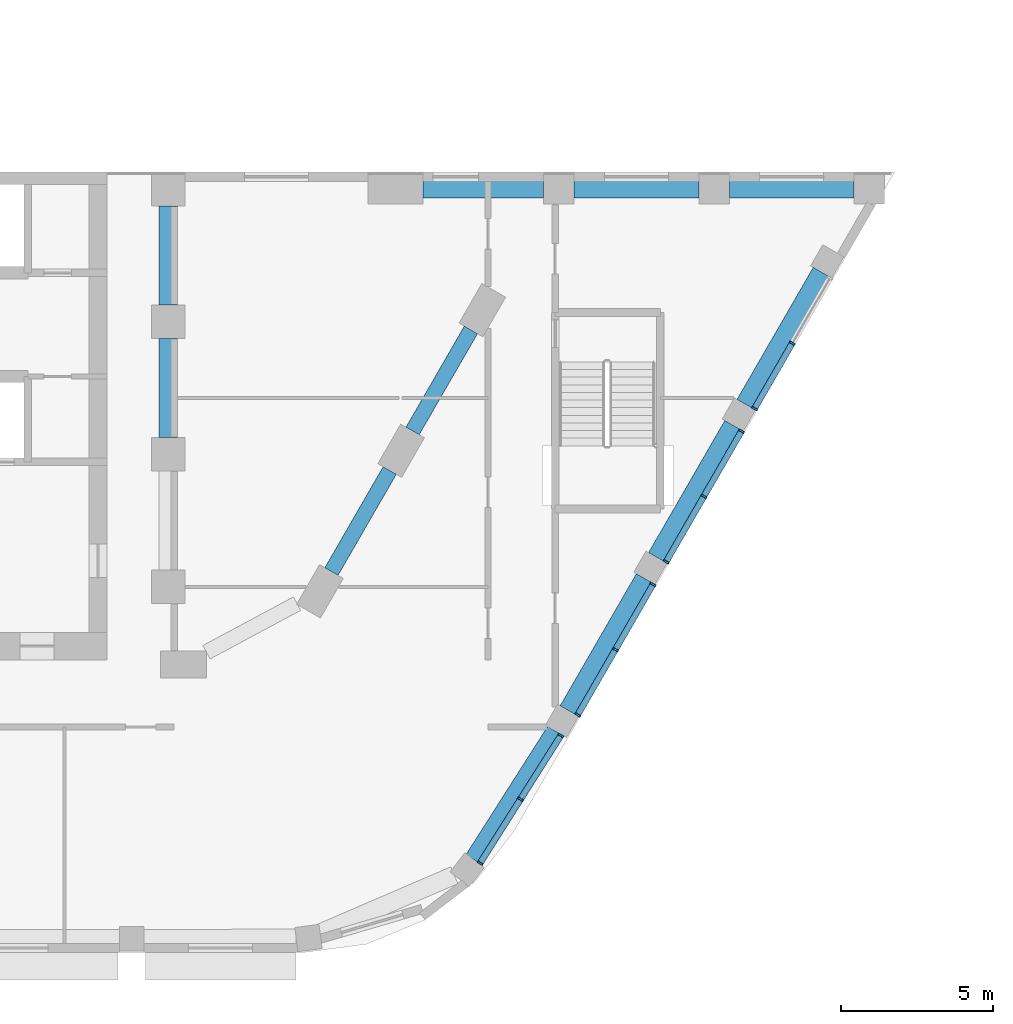
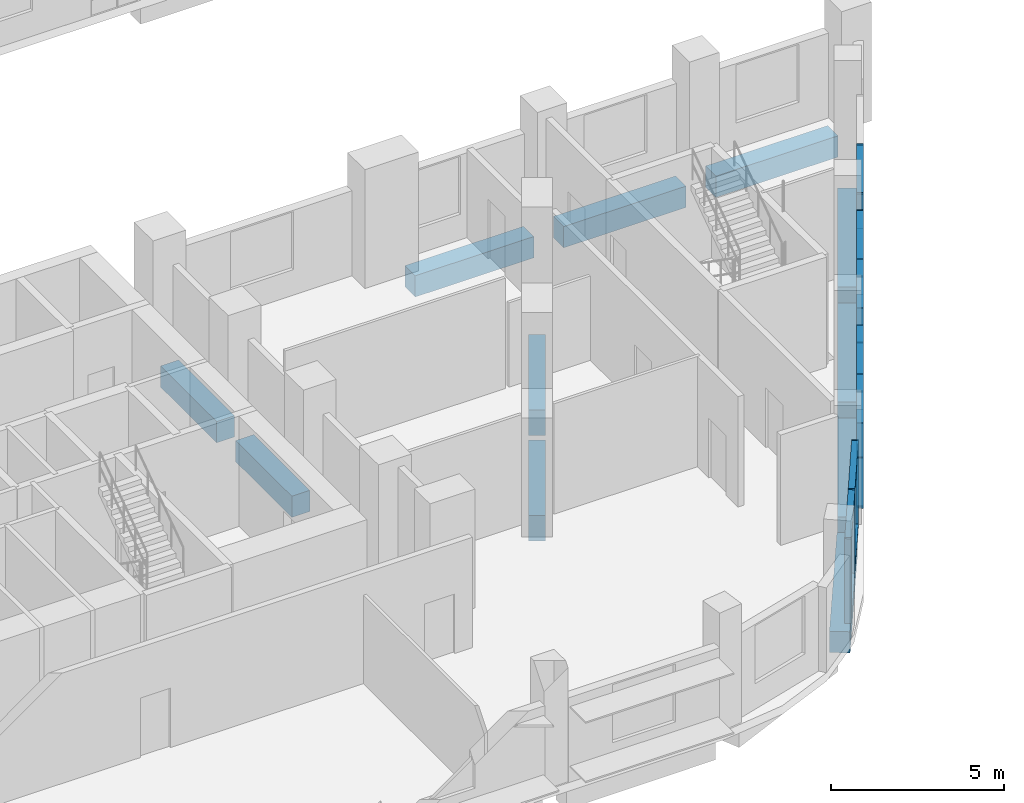
# One storey, part 2 of 47: 25 members, 11 beams, 4 elements without a shape of their own.
"""IFC4 building model written with IfcOpenShell, lengths in metres."""

from ifc_helpers import new_model, si_unit, direction, frame, origin, origin_2d, place, context, subcontext, project, spatial, rectangle, extrude, material, layer, layer_set, material_profile, profile_set, type_object, element, aggregate, save


model = new_model("IFC4")

# Units and contexts
model_context = context("Model", 3, precision=1e-05, world=origin(), true_north=direction((0.0, 1.0)))
body_context = subcontext(model_context, "Body", "Model", "MODEL_VIEW")
ifc_project = project(units=[si_unit("LENGTHUNIT", "METRE"), si_unit("AREAUNIT", "SQUARE_METRE"), si_unit("VOLUMEUNIT", "CUBIC_METRE"), si_unit("PLANEANGLEUNIT", "RADIAN"), si_unit("MASSUNIT", "GRAM", prefix="KILO")], contexts=[model_context])

# Site, building, storey
site_placement = place(None, origin())
site = spatial("IfcSite", under=ifc_project, at=site_placement, CompositionType="ELEMENT")
building_placement = place(site_placement, origin())
building = spatial("IfcBuilding", under=site, at=building_placement, Name="Nakaniwa Court", CompositionType="ELEMENT")
storey_placement = place(building_placement, frame((0.0, 0.0, 15.60009765625)))
storey = spatial("IfcBuildingStorey", under=building, at=storey_placement, Name="L03", CompositionType="ELEMENT", Elevation=15.60009765625)

# Beams
ifc_material_1 = material(Name="Concrete C100/115", Category="concrete")
ifc_material_profile_1 = material_profile(ifc_material_1, rectangle(XDim=0.5, YDim=0.89990234375, at=origin_2d()), Name="Concrete C100/115 RC 500x900 spandrel beam")
ifc_profile_set_1 = profile_set([ifc_material_profile_1], Name="Concrete C100/115")
beam_type_1 = type_object("IfcBeamType", Name="Concrete C100/115 RC 500x900 spandrel beam", PredefinedType="BEAM", material=ifc_profile_set_1)
beam_1_placement = place(storey_placement, frame((95.357421875, 59.5, -0.75), z_axis=(0.500009674092, 0.866019818373, 0.0), x_axis=(-0.866019818373, 0.500009674092, 0.0)))
element("IfcBeam", 1, at=beam_1_placement, inside=storey, type_object=beam_type_1, Name="SPANDREL BEAM", PredefinedType="BEAM", context=body_context, shape_type="SweptSolid", body=[
    extrude(rectangle(XDim=0.5, YDim=0.89990234375, at=origin_2d()), origin(), (0.0, 0.0, 1.0), 3.826171875),
])
beam_2_placement = place(storey_placement, frame((98.0205078125, 64.1123046875, -0.75), z_axis=(0.499961815444, 0.866047448526, 0.0), x_axis=(-0.866047448526, 0.499961815444, 0.0)))
element("IfcBeam", 2, at=beam_2_placement, inside=storey, type_object=beam_type_1, Name="SPANDREL BEAM", PredefinedType="BEAM", context=body_context, shape_type="SweptSolid", body=[
    extrude(rectangle(XDim=0.5, YDim=0.89990234375, at=origin_2d()), origin(), (0.0, 0.0, 1.0), 3.825927734375),
])
ifc_material_profile_2 = material_profile(ifc_material_1, rectangle(XDim=0.60009765625, YDim=0.75, at=origin_2d()), Name="Concrete C100/115 RC 600x750 ring beam")
ifc_profile_set_2 = profile_set([ifc_material_profile_2], Name="Concrete C100/115")
beam_type_2 = type_object("IfcBeamType", Name="Concrete C100/115 RC 600x750 ring beam", PredefinedType="BEAM", material=ifc_profile_set_2)
for number, where, z_axis, x_axis, name in (
    (3, (90.0, 63.89990234375, -0.675048828125), (0.0, 1.0, 0.0), (-1.0, 0.0, 0.0), "RING BEAM"),
    (4, (90.0, 68.25, -0.675048828125), (0.0, 1.0, 0.0), (-1.0, 0.0, 0.0), "RING BEAM"),
):
    element("IfcBeam", number, at=place(storey_placement, frame(where, z_axis=z_axis, x_axis=x_axis)), inside=storey, type_object=beam_type_2, Name=name, PredefinedType="BEAM", context=body_context, shape_type="SweptSolid", body=[
        extrude(rectangle(XDim=0.60009765625, YDim=0.75, at=origin_2d()), origin(), (0.0, 0.0, 1.0), 3.25),
    ])
beam_3_placement = place(storey_placement, frame((100.025390625, 50.0546875, -0.675048828125), z_axis=(0.537280707884, 0.843403486438, 0.0), x_axis=(-0.843403486438, 0.537280707884, 0.0)))
element("IfcBeam", 5, at=beam_3_placement, inside=storey, type_object=beam_type_2, Name="RING BEAM", PredefinedType="BEAM", context=body_context, shape_type="SweptSolid", body=[
    extrude(rectangle(XDim=0.60009765625, YDim=0.75, at=origin_2d()), origin(), (0.0, 0.0, 1.0), 4.9892578125),
])
for number, where, z_axis, x_axis, name in (
    (6, (103.12109375, 54.94677734375, -0.675048828125), (0.499997052475, 0.866027105532, 0.0), (-0.866027105532, 0.499997052475, 0.0), "RING BEAM"),
    (7, (106.022216796875, 59.9716796875, -0.675048828125), (0.499960447986, 0.866048237946, 0.0), (-0.866048237946, 0.499960447986, 0.0), "RING BEAM"),
    (8, (108.92333984375, 64.99658203125, -0.675048828125), (0.499997052475, 0.866027105532, 0.0), (-0.866027105532, 0.499997052475, 0.0), "RING BEAM"),
):
    element("IfcBeam", number, at=place(storey_placement, frame(where, z_axis=z_axis, x_axis=x_axis)), inside=storey, type_object=beam_type_2, Name=name, PredefinedType="BEAM", context=body_context, shape_type="SweptSolid", body=[
        extrude(rectangle(XDim=0.60009765625, YDim=0.75, at=origin_2d()), origin(), (0.0, 0.0, 1.0), 5.00244140625),
    ])
beam_4_placement = place(storey_placement, frame((98.35791015625, 72.050048828125, -0.675048828125), z_axis=(1.0, 0.0, 0.0), x_axis=(0.0, 1.0, 0.0)))
element("IfcBeam", 9, at=beam_4_placement, inside=storey, type_object=beam_type_2, Name="RING BEAM", PredefinedType="BEAM", context=body_context, shape_type="SweptSolid", body=[
    extrude(rectangle(XDim=0.60009765625, YDim=0.75, at=origin_2d()), origin(), (0.0, 0.0, 1.0), 3.965087890625),
])
beam_5_placement = place(storey_placement, frame((103.322998046875, 72.050048828125, -0.675048828125), z_axis=(1.0, 0.0, 0.0), x_axis=(0.0, 1.0, 0.0)))
element("IfcBeam", 10, at=beam_5_placement, inside=storey, type_object=beam_type_2, Name="RING BEAM", PredefinedType="BEAM", context=body_context, shape_type="SweptSolid", body=[
    extrude(rectangle(XDim=0.60009765625, YDim=0.75, at=origin_2d()), origin(), (0.0, 0.0, 1.0), 4.0859375),
])
beam_6_placement = place(storey_placement, frame((108.408935546875, 72.050048828125, -0.675048828125), z_axis=(1.0, 0.0, 0.0), x_axis=(0.0, 1.0, 0.0)))
element("IfcBeam", 11, at=beam_6_placement, inside=storey, type_object=beam_type_2, Name="RING BEAM", PredefinedType="BEAM", context=body_context, shape_type="SweptSolid", body=[
    extrude(rectangle(XDim=0.60009765625, YDim=0.75, at=origin_2d()), origin(), (0.0, 0.0, 1.0), 4.087158203125),
])

# Curtain wall, members
ifc_material_2 = material(Name="Black anodised aluminium frame with dark low-E laminated double glazing", Category="aluminium")
ifc_layer = layer(ifc_material_2, 0.199951171875)
ifc_layer_set = layer_set([ifc_layer], Name="Black anodised aluminium frame with dark low-E laminated double glazing")
curtain_wall_type = type_object("IfcCurtainWallType", Name="Podium unitised curtain wall", PredefinedType="NOTDEFINED", material=ifc_layer_set)
curtain_wall_1_placement = place(storey_placement, origin())
curtain_wall_1 = element("IfcCurtainWall", 12, at=curtain_wall_1_placement, inside=storey, type_object=curtain_wall_type, Name="L03 curtain wall CW1 00", PredefinedType="NOTDEFINED")
ifc_material_3 = material(Name="Black anodised aluminium extrusion", Category="aluminium")
ifc_material_profile_3 = material_profile(ifc_material_3, rectangle(XDim=0.199951171875, YDim=0.06494140625, at=origin_2d()), Name="Podium unitised curtain wall mullion 65x200")
ifc_profile_set_3 = profile_set([ifc_material_profile_3], Name="Black anodised aluminium extrusion")
member_type_1 = type_object("IfcMemberType", Name="Podium unitised curtain wall mullion 65x200", PredefinedType="MULLION", material=ifc_profile_set_3)
member_1_placement = place(storey_placement, frame((103.4384765625, 54.79638671875, 0.0), z_axis=(0.0, 0.0, 1.0), x_axis=(-0.866037354758, 0.499979299736, 0.0)))
member_1 = element("IfcMember", 13, at=member_1_placement, type_object=member_type_1, Name="CW1 mullion 1", PredefinedType="MULLION", context=body_context, shape_type="SweptSolid", body=[
    extrude(rectangle(XDim=0.199951171875, YDim=0.06494140625, at=origin_2d()), origin(), (0.0, 0.0, 1.0), 3.0),
])
member_2_placement = place(storey_placement, frame((104.6748046875, 56.93798828125, 0.0), z_axis=(0.0, 0.0, 1.0), x_axis=(-0.866037354758, 0.499979299736, 0.0)))
member_2 = element("IfcMember", 14, at=member_2_placement, type_object=member_type_1, Name="CW1 mullion 2", PredefinedType="MULLION", context=body_context, shape_type="SweptSolid", body=[
    extrude(rectangle(XDim=0.199951171875, YDim=0.06494140625, at=origin_2d()), origin(), (0.0, 0.0, 1.0), 3.0),
])
member_3_placement = place(storey_placement, frame((105.9111328125, 59.079345703125, 0.0), z_axis=(0.0, 0.0, 1.0), x_axis=(-0.866037354758, 0.499979299736, 0.0)))
member_3 = element("IfcMember", 15, at=member_3_placement, type_object=member_type_1, Name="CW1 mullion 3", PredefinedType="MULLION", context=body_context, shape_type="SweptSolid", body=[
    extrude(rectangle(XDim=0.199951171875, YDim=0.06494140625, at=origin_2d()), origin(), (0.0, 0.0, 1.0), 3.0),
])

curtain_wall_2_placement = place(storey_placement, origin())
curtain_wall_2 = element("IfcCurtainWall", 16, at=curtain_wall_2_placement, inside=storey, type_object=curtain_wall_type, Name="L03 curtain wall CW1 01", PredefinedType="NOTDEFINED")
member_4_placement = place(storey_placement, frame((106.339599609375, 59.821533203125, 0.0), z_axis=(0.0, 0.0, 1.0), x_axis=(-0.866032365426, 0.499987941889, 0.0)))
member_4 = element("IfcMember", 17, at=member_4_placement, type_object=member_type_1, Name="CW1 mullion 1", PredefinedType="MULLION", context=body_context, shape_type="SweptSolid", body=[
    extrude(rectangle(XDim=0.199951171875, YDim=0.06494140625, at=origin_2d()), origin(), (0.0, 0.0, 1.0), 3.0),
])
member_5_placement = place(storey_placement, frame((107.575927734375, 61.962890625, 0.0), z_axis=(0.0, 0.0, 1.0), x_axis=(-0.866032365426, 0.499987941889, 0.0)))
member_5 = element("IfcMember", 18, at=member_5_placement, type_object=member_type_1, Name="CW1 mullion 2", PredefinedType="MULLION", context=body_context, shape_type="SweptSolid", body=[
    extrude(rectangle(XDim=0.199951171875, YDim=0.06494140625, at=origin_2d()), origin(), (0.0, 0.0, 1.0), 3.0),
])
member_6_placement = place(storey_placement, frame((108.812255859375, 64.104248046875, 0.0), z_axis=(0.0, 0.0, 1.0), x_axis=(-0.866032365426, 0.499987941889, 0.0)))
member_6 = element("IfcMember", 19, at=member_6_placement, type_object=member_type_1, Name="CW1 mullion 3", PredefinedType="MULLION", context=body_context, shape_type="SweptSolid", body=[
    extrude(rectangle(XDim=0.199951171875, YDim=0.06494140625, at=origin_2d()), origin(), (0.0, 0.0, 1.0), 3.0),
])

curtain_wall_3_placement = place(storey_placement, origin())
curtain_wall_3 = element("IfcCurtainWall", 20, at=curtain_wall_3_placement, inside=storey, type_object=curtain_wall_type, Name="L03 curtain wall CW1 02", PredefinedType="NOTDEFINED")
member_7_placement = place(storey_placement, frame((109.24072265625, 64.846435546875, 0.0), z_axis=(0.0, 0.0, 1.0), x_axis=(-0.866023723106, 0.500002911009, 0.0)))
member_7 = element("IfcMember", 21, at=member_7_placement, type_object=member_type_1, Name="CW1 mullion 1", PredefinedType="MULLION", context=body_context, shape_type="SweptSolid", body=[
    extrude(rectangle(XDim=0.199951171875, YDim=0.06494140625, at=origin_2d()), origin(), (0.0, 0.0, 1.0), 3.0),
])
member_8_placement = place(storey_placement, frame((110.47705078125, 66.98779296875, 0.0), z_axis=(0.0, 0.0, 1.0), x_axis=(-0.866023723106, 0.500002911009, 0.0)))
member_8 = element("IfcMember", 22, at=member_8_placement, type_object=member_type_1, Name="CW1 mullion 2", PredefinedType="MULLION", context=body_context, shape_type="SweptSolid", body=[
    extrude(rectangle(XDim=0.199951171875, YDim=0.06494140625, at=origin_2d()), origin(), (0.0, 0.0, 1.0), 3.0),
])

curtain_wall_4_placement = place(storey_placement, origin())
curtain_wall_4 = element("IfcCurtainWall", 23, at=curtain_wall_4_placement, inside=storey, type_object=curtain_wall_type, Name="L03 curtain wall CW1 26", PredefinedType="NOTDEFINED")
member_9_placement = place(storey_placement, frame((100.235595703125, 49.93505859375, 0.0), z_axis=(0.0, 0.0, 1.0), x_axis=(-0.845107295343, 0.534596725914, 0.0)))
member_9 = element("IfcMember", 24, at=member_9_placement, type_object=member_type_1, Name="CW1 mullion 1", PredefinedType="MULLION", context=body_context, shape_type="SweptSolid", body=[
    extrude(rectangle(XDim=0.199951171875, YDim=0.06494140625, at=origin_2d()), origin(), (0.0, 0.0, 1.0), 3.0),
])
member_10_placement = place(storey_placement, frame((101.560546875, 52.029541015625, 0.0), z_axis=(0.0, 0.0, 1.0), x_axis=(-0.845107295343, 0.534596725914, 0.0)))
member_10 = element("IfcMember", 25, at=member_10_placement, type_object=member_type_1, Name="CW1 mullion 2", PredefinedType="MULLION", context=body_context, shape_type="SweptSolid", body=[
    extrude(rectangle(XDim=0.199951171875, YDim=0.06494140625, at=origin_2d()), origin(), (0.0, 0.0, 1.0), 3.0),
])
member_11_placement = place(storey_placement, frame((102.885498046875, 54.1240234375, 0.0), z_axis=(0.0, 0.0, 1.0), x_axis=(-0.845107295343, 0.534596725914, 0.0)))
member_11 = element("IfcMember", 26, at=member_11_placement, type_object=member_type_1, Name="CW1 mullion 3", PredefinedType="MULLION", context=body_context, shape_type="SweptSolid", body=[
    extrude(rectangle(XDim=0.199951171875, YDim=0.06494140625, at=origin_2d()), origin(), (0.0, 0.0, 1.0), 3.0),
])

# Member
ifc_material_profile_4 = material_profile(ifc_material_3, rectangle(XDim=0.199951171875, YDim=0.050048828125, at=origin_2d()), Name="Podium unitised curtain wall transom 50x200")
ifc_profile_set_4 = profile_set([ifc_material_profile_4], Name="Black anodised aluminium extrusion")
member_type_2 = type_object("IfcMemberType", Name="Podium unitised curtain wall transom 50x200", PredefinedType="USERDEFINED", material=ifc_profile_set_4)
member_12_placement = place(storey_placement, frame((103.45458984375, 54.82470703125, 0.02490234375), z_axis=(0.50003260427, 0.866006578882, 0.0), x_axis=(-0.866006578882, 0.50003260427, 0.0)))
member_12 = element("IfcMember", 27, at=member_12_placement, type_object=member_type_2, Name="CW1 transom 1.1", ObjectType="TRANSOM", PredefinedType="USERDEFINED", context=body_context, shape_type="SweptSolid", body=[
    extrude(rectangle(XDim=0.199951171875, YDim=0.050048828125, at=origin_2d()), origin(), (0.0, 0.0, 1.0), 2.407470703125),
])

member_13_placement = place(storey_placement, frame((103.45458984375, 54.82470703125, 2.974853515625), z_axis=(0.50003260427, 0.866006578882, 0.0), x_axis=(-0.866006578882, 0.50003260427, 0.0)))
member_13 = element("IfcMember", 28, at=member_13_placement, type_object=member_type_2, Name="CW1 transom 1.2", ObjectType="TRANSOM", PredefinedType="USERDEFINED", context=body_context, shape_type="SweptSolid", body=[
    extrude(rectangle(XDim=0.199951171875, YDim=0.050048828125, at=origin_2d()), origin(), (0.0, 0.0, 1.0), 2.407470703125),
])

member_14_placement = place(storey_placement, frame((104.69091796875, 56.966064453125, 0.02490234375), z_axis=(0.499988695522, 0.866031930329, 0.0), x_axis=(-0.866031930329, 0.499988695522, 0.0)))
member_14 = element("IfcMember", 29, at=member_14_placement, type_object=member_type_2, Name="CW1 transom 2.1", ObjectType="TRANSOM", PredefinedType="USERDEFINED", context=body_context, shape_type="SweptSolid", body=[
    extrude(rectangle(XDim=0.199951171875, YDim=0.050048828125, at=origin_2d()), origin(), (0.0, 0.0, 1.0), 2.40771484375),
])

member_15_placement = place(storey_placement, frame((104.69091796875, 56.966064453125, 2.974853515625), z_axis=(0.499988695522, 0.866031930329, 0.0), x_axis=(-0.866031930329, 0.499988695522, 0.0)))
member_15 = element("IfcMember", 30, at=member_15_placement, type_object=member_type_2, Name="CW1 transom 2.2", ObjectType="TRANSOM", PredefinedType="USERDEFINED", context=body_context, shape_type="SweptSolid", body=[
    extrude(rectangle(XDim=0.199951171875, YDim=0.050048828125, at=origin_2d()), origin(), (0.0, 0.0, 1.0), 2.40771484375),
])

aggregate(curtain_wall_1, [member_1, member_2, member_3, member_12, member_13, member_14, member_15])

member_16_placement = place(storey_placement, frame((106.355712890625, 59.849609375, 0.02490234375), z_axis=(0.499988695522, 0.866031930329, 0.0), x_axis=(-0.866031930329, 0.499988695522, 0.0)))
member_16 = element("IfcMember", 31, at=member_16_placement, type_object=member_type_2, Name="CW1 transom 1.1", ObjectType="TRANSOM", PredefinedType="USERDEFINED", context=body_context, shape_type="SweptSolid", body=[
    extrude(rectangle(XDim=0.199951171875, YDim=0.050048828125, at=origin_2d()), origin(), (0.0, 0.0, 1.0), 2.40771484375),
])

member_17_placement = place(storey_placement, frame((106.355712890625, 59.849609375, 2.974853515625), z_axis=(0.499988695522, 0.866031930329, 0.0), x_axis=(-0.866031930329, 0.499988695522, 0.0)))
member_17 = element("IfcMember", 32, at=member_17_placement, type_object=member_type_2, Name="CW1 transom 1.2", ObjectType="TRANSOM", PredefinedType="USERDEFINED", context=body_context, shape_type="SweptSolid", body=[
    extrude(rectangle(XDim=0.199951171875, YDim=0.050048828125, at=origin_2d()), origin(), (0.0, 0.0, 1.0), 2.40771484375),
])

member_18_placement = place(storey_placement, frame((107.592041015625, 61.990966796875, 0.02490234375), z_axis=(0.499988695522, 0.866031930329, 0.0), x_axis=(-0.866031930329, 0.499988695522, 0.0)))
member_18 = element("IfcMember", 33, at=member_18_placement, type_object=member_type_2, Name="CW1 transom 2.1", ObjectType="TRANSOM", PredefinedType="USERDEFINED", context=body_context, shape_type="SweptSolid", body=[
    extrude(rectangle(XDim=0.199951171875, YDim=0.050048828125, at=origin_2d()), origin(), (0.0, 0.0, 1.0), 2.40771484375),
])

member_19_placement = place(storey_placement, frame((107.592041015625, 61.990966796875, 2.974853515625), z_axis=(0.499988695522, 0.866031930329, 0.0), x_axis=(-0.866031930329, 0.499988695522, 0.0)))
member_19 = element("IfcMember", 34, at=member_19_placement, type_object=member_type_2, Name="CW1 transom 2.2", ObjectType="TRANSOM", PredefinedType="USERDEFINED", context=body_context, shape_type="SweptSolid", body=[
    extrude(rectangle(XDim=0.199951171875, YDim=0.050048828125, at=origin_2d()), origin(), (0.0, 0.0, 1.0), 2.40771484375),
])

aggregate(curtain_wall_2, [member_4, member_5, member_6, member_16, member_17, member_18, member_19])

member_20_placement = place(storey_placement, frame((109.2568359375, 64.87451171875, 0.02490234375), z_axis=(0.499988695522, 0.866031930329, 0.0), x_axis=(-0.866031930329, 0.499988695522, 0.0)))
member_20 = element("IfcMember", 35, at=member_20_placement, type_object=member_type_2, Name="CW1 transom 1.1", ObjectType="TRANSOM", PredefinedType="USERDEFINED", context=body_context, shape_type="SweptSolid", body=[
    extrude(rectangle(XDim=0.199951171875, YDim=0.050048828125, at=origin_2d()), origin(), (0.0, 0.0, 1.0), 2.40771484375),
])

member_21_placement = place(storey_placement, frame((109.2568359375, 64.87451171875, 2.974853515625), z_axis=(0.499988695522, 0.866031930329, 0.0), x_axis=(-0.866031930329, 0.499988695522, 0.0)))
member_21 = element("IfcMember", 36, at=member_21_placement, type_object=member_type_2, Name="CW1 transom 1.2", ObjectType="TRANSOM", PredefinedType="USERDEFINED", context=body_context, shape_type="SweptSolid", body=[
    extrude(rectangle(XDim=0.199951171875, YDim=0.050048828125, at=origin_2d()), origin(), (0.0, 0.0, 1.0), 2.40771484375),
])

aggregate(curtain_wall_3, [member_7, member_8, member_20, member_21])

member_22_placement = place(storey_placement, frame((100.2529296875, 49.96240234375, 0.02490234375), z_axis=(0.534628443241, 0.84508723081, 0.0), x_axis=(-0.84508723081, 0.534628443241, 0.0)))
member_22 = element("IfcMember", 37, at=member_22_placement, type_object=member_type_2, Name="CW1 transom 1.1", ObjectType="TRANSOM", PredefinedType="USERDEFINED", context=body_context, shape_type="SweptSolid", body=[
    extrude(rectangle(XDim=0.199951171875, YDim=0.050048828125, at=origin_2d()), origin(), (0.0, 0.0, 1.0), 2.413330078125),
])

member_23_placement = place(storey_placement, frame((100.2529296875, 49.96240234375, 2.974853515625), z_axis=(0.534628443241, 0.84508723081, 0.0), x_axis=(-0.84508723081, 0.534628443241, 0.0)))
member_23 = element("IfcMember", 38, at=member_23_placement, type_object=member_type_2, Name="CW1 transom 1.2", ObjectType="TRANSOM", PredefinedType="USERDEFINED", context=body_context, shape_type="SweptSolid", body=[
    extrude(rectangle(XDim=0.199951171875, YDim=0.050048828125, at=origin_2d()), origin(), (0.0, 0.0, 1.0), 2.413330078125),
])

member_24_placement = place(storey_placement, frame((101.577880859375, 52.056884765625, 0.02490234375), z_axis=(0.534628443241, 0.84508723081, 0.0), x_axis=(-0.84508723081, 0.534628443241, 0.0)))
member_24 = element("IfcMember", 39, at=member_24_placement, type_object=member_type_2, Name="CW1 transom 2.1", ObjectType="TRANSOM", PredefinedType="USERDEFINED", context=body_context, shape_type="SweptSolid", body=[
    extrude(rectangle(XDim=0.199951171875, YDim=0.050048828125, at=origin_2d()), origin(), (0.0, 0.0, 1.0), 2.413330078125),
])

member_25_placement = place(storey_placement, frame((101.577880859375, 52.056884765625, 2.974853515625), z_axis=(0.534628443241, 0.84508723081, 0.0), x_axis=(-0.84508723081, 0.534628443241, 0.0)))
member_25 = element("IfcMember", 40, at=member_25_placement, type_object=member_type_2, Name="CW1 transom 2.2", ObjectType="TRANSOM", PredefinedType="USERDEFINED", context=body_context, shape_type="SweptSolid", body=[
    extrude(rectangle(XDim=0.199951171875, YDim=0.050048828125, at=origin_2d()), origin(), (0.0, 0.0, 1.0), 2.413330078125),
])

aggregate(curtain_wall_4, [member_9, member_10, member_11, member_22, member_23, member_24, member_25])

save(model, "model.ifc")
